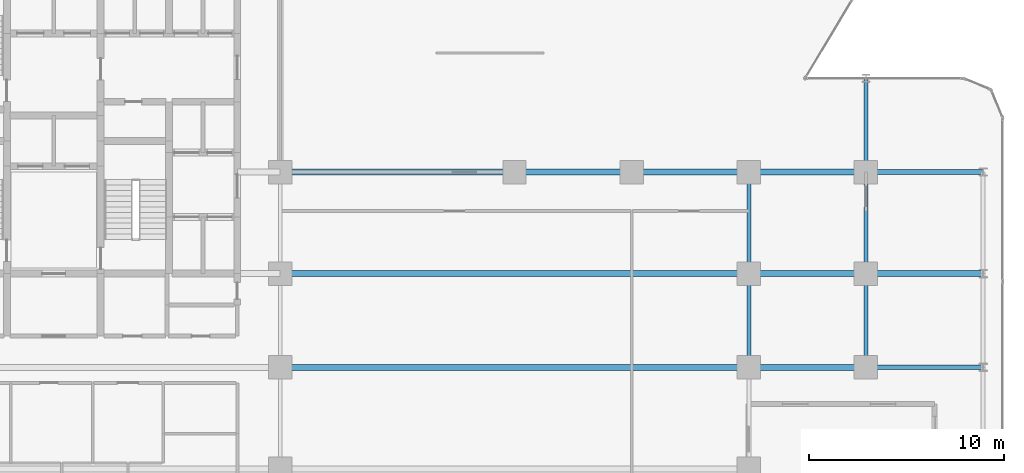
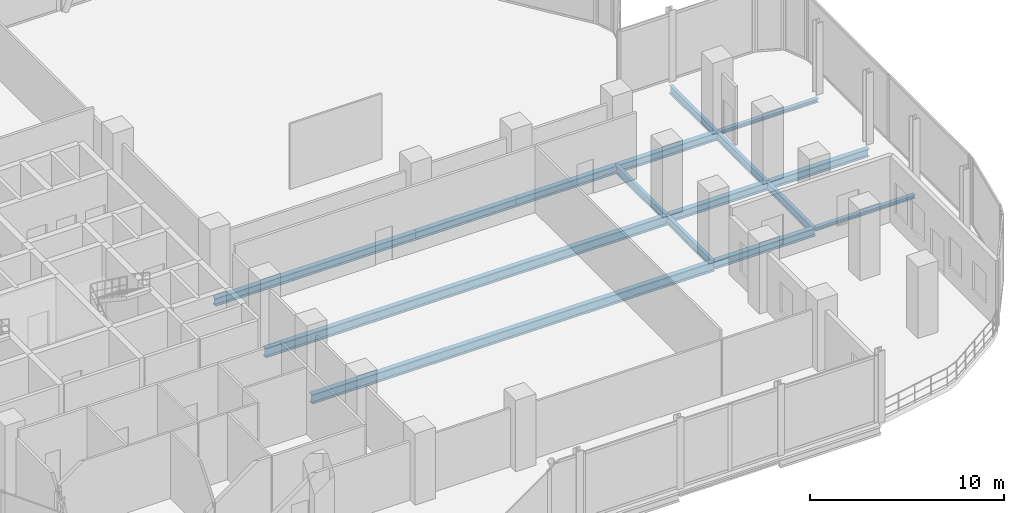
# One storey, part 11 of 30: 16 beams.
"""IFC4 building model written with IfcOpenShell, lengths in metres."""

import ifcopenshell
import ifcopenshell.guid

model = None  # the IFC model being written
_history = None  # IfcOwnerHistory: only IFC2X3 demands one
_inside = {}  # id of a spatial element -> (the spatial element, [elements in it])
_under = {}  # id of a project, library or spatial element -> (it, [spatial elements below it])
_declared = {}  # id of a project -> (the project, [libraries it declares])
_typed = {}  # id of a type object -> (the type object, [elements of that type])
_made_of = {}  # id of a material, layer set ... -> (it, [elements and type objects made of it])


def new_model(schema):
    """Start an empty IFC model of exactly this schema.

    Asked for "IFC4X3", IfcOpenShell would pick the latest addendum, in which some entities
    have other attributes; the version numbers below select the first issue.
    IFC2X3 requires an IfcOwnerHistory on every rooted entity: one is made here for all.
    """
    global model, _history
    if schema == "IFC4X3":
        model = ifcopenshell.file(schema_version=(4, 3, 0, 0))
    else:
        model = ifcopenshell.file(schema=schema)
    _inside.clear()
    _under.clear()
    _declared.clear()
    _typed.clear()
    _made_of.clear()
    _history = None
    if model.schema == "IFC2X3":
        org = make("IfcOrganization", Name="unknown")
        user = make(
            "IfcPersonAndOrganization",
            ThePerson=make("IfcPerson", FamilyName="unknown"),
            TheOrganization=org,
        )
        app = make(
            "IfcApplication",
            ApplicationDeveloper=org,
            Version="unknown",
            ApplicationFullName="unknown",
            ApplicationIdentifier="unknown",
        )
        _history = make(
            "IfcOwnerHistory",
            OwningUser=user,
            OwningApplication=app,
            ChangeAction="ADDED",
            CreationDate=0,
        )
    return model


def make(cls, **values):
    """One entity of the class cls with the attributes given. An attribute that is None is left unset."""
    return model.create_entity(
        cls, **{name: value for name, value in values.items() if value is not None}
    )


def rooted(cls, **values):
    """An entity with a GlobalId (a new one), such as an element, a storey or a relation."""
    return make(cls, GlobalId=ifcopenshell.guid.new(), OwnerHistory=_history, **values)


def si_unit(unit_type, name, prefix=None):
    """IfcSIUnit, for example si_unit("LENGTHUNIT", "METRE", prefix="MILLI")."""
    return make("IfcSIUnit", UnitType=unit_type, Prefix=prefix, Name=name)


def assignment(units):
    """IfcUnitAssignment: the units of a project."""
    return None if units is None else make("IfcUnitAssignment", Units=units)


def point(xyz):
    """IfcCartesianPoint."""
    return None if xyz is None else make("IfcCartesianPoint", Coordinates=xyz)


def direction(xyz):
    """IfcDirection."""
    return None if xyz is None else make("IfcDirection", DirectionRatios=xyz)


def frame(location, z_axis=None, x_axis=None):
    """IfcAxis2Placement3D, a coordinate frame: its origin and axes. An axis left out is left unset."""
    return make(
        "IfcAxis2Placement3D",
        Location=point(location),
        Axis=direction(z_axis),
        RefDirection=direction(x_axis),
    )


def frame_2d(location, x_axis=None):
    """IfcAxis2Placement2D, a coordinate frame in the plane: its origin and x axis."""
    return make(
        "IfcAxis2Placement2D", Location=point(location), RefDirection=direction(x_axis)
    )


def origin():
    """The frame at (0, 0, 0) with its axes left unset."""
    return frame((0.0, 0.0, 0.0))


def origin_2d():
    """The frame at (0, 0) in the plane with its x axis left unset."""
    return frame_2d((0.0, 0.0))


def place(relative_to, where):
    """IfcLocalPlacement: puts the frame where relative to a parent placement (None: the world)."""
    return make(
        "IfcLocalPlacement", PlacementRelTo=relative_to, RelativePlacement=where
    )


def context(
    kind, dimensions, precision=None, world=None, true_north=None, identifier=None
):
    """IfcGeometricRepresentationContext, for example the 3D "Model" context."""
    return make(
        "IfcGeometricRepresentationContext",
        ContextIdentifier=identifier,
        ContextType=kind,
        CoordinateSpaceDimension=dimensions,
        Precision=precision,
        WorldCoordinateSystem=world,
        TrueNorth=true_north,
    )


def subcontext(parent, identifier, kind, view, scale=None):
    """IfcGeometricRepresentationSubContext, for example "Body" below "Model"."""
    return make(
        "IfcGeometricRepresentationSubContext",
        ContextIdentifier=identifier,
        ContextType=kind,
        ParentContext=parent,
        TargetScale=scale,
        TargetView=view,
    )


def project(units=None, contexts=None):
    """IfcProject with its units and contexts."""
    return rooted(
        "IfcProject",
        Name="project",
        RepresentationContexts=contexts,
        UnitsInContext=assignment(units),
    )


def spatial(cls, under=None, at=None, **own):
    """A site, building, storey or space (cls), placed at a placement, below another one or the project."""
    s = rooted(cls, ObjectPlacement=at, **own)
    if under is not None:
        _under.setdefault(under.id(), (under, []))[1].append(s)
    return s


def profile(cls, at=None, kind="AREA", **sizes):
    """A parametric profile (cls). Its sizes go by their IFC names, for example OverallWidth=200.0."""
    return make(cls, ProfileType=kind, Position=at, **sizes)


def i_section(**sizes):
    """IfcIShapeProfileDef."""
    return profile("IfcIShapeProfileDef", **sizes)


def extrude(swept, where, along, depth):
    """IfcExtrudedAreaSolid: the profile swept, set in the frame where, extruded along a direction by depth."""
    return make(
        "IfcExtrudedAreaSolid",
        SweptArea=swept,
        Position=where,
        ExtrudedDirection=direction(along),
        Depth=depth,
    )


def shape(context_of_items, identifier, shape_type, items):
    """IfcShapeRepresentation: the items that make up one representation, for example the "Body"."""
    return make(
        "IfcShapeRepresentation",
        ContextOfItems=context_of_items,
        RepresentationIdentifier=identifier,
        RepresentationType=shape_type,
        Items=items,
    )


def material(Name=None, Category=None):
    """IfcMaterial."""
    return make("IfcMaterial", Name=Name, Category=Category)


def material_profile(
    of_material, cross_section, Name=None, Category=None, Priority=None
):
    """IfcMaterialProfile: a cross section and its material."""
    return make(
        "IfcMaterialProfile",
        Name=Name,
        Material=of_material,
        Profile=cross_section,
        Priority=Priority,
        Category=Category,
    )


def profile_set(profiles, Name=None, composite=None):
    """IfcMaterialProfileSet."""
    return make(
        "IfcMaterialProfileSet",
        Name=Name,
        MaterialProfiles=profiles,
        CompositeProfile=composite,
    )


def made_of(thing, what):
    """Note that an element or type object is made of a material, layer set ...; save() writes the relation."""
    if what is not None:
        _made_of.setdefault(what.id(), (what, []))[1].append(thing)
    return thing


def type_object(cls, material=None, **own):
    """A type object (cls), such as IfcWallType, which elements share."""
    return made_of(rooted(cls, **own), material)


def element(
    cls,
    number,
    at=None,
    inside=None,
    cuts=None,
    type_object=None,
    material=None,
    context=None,
    identifier="Body",
    shape_type=None,
    held_by="IfcProductDefinitionShape",
    body=None,
    shapes=None,
    **own,
):
    """One element of the class cls, such as IfcWall. Its Tag is "e" and its number.

    at: its placement. inside: the storey or other place that contains it. cuts: it is an
    opening in that element (IfcRelVoidsElement). A single representation is given by context,
    identifier, shape_type and body (its items); several are given by shapes. held_by: the class
    of the entity that holds the representations. save() writes the other relations.
    """
    e = rooted(cls, Tag="e%d" % number, ObjectPlacement=at, **own)
    if body is not None:
        shapes = [shape(context, identifier, shape_type, body)]
    if shapes is not None:
        e.Representation = make(held_by, Representations=shapes)
    if inside is not None:
        _inside.setdefault(inside.id(), (inside, []))[1].append(e)
    if cuts is not None:
        rooted(
            "IfcRelVoidsElement", RelatingBuildingElement=cuts, RelatedOpeningElement=e
        )
    if type_object is not None:
        _typed.setdefault(type_object.id(), (type_object, []))[1].append(e)
    return made_of(e, material)


def aggregate(whole, parts):
    """IfcRelAggregates: a whole, such as a stair, and the parts it consists of."""
    return rooted("IfcRelAggregates", RelatingObject=whole, RelatedObjects=parts)


def save(model, path):
    """Write the relations noted so far, then the file.

    IfcRelAggregates (storeys below a building ...), IfcRelContainedInSpatialStructure (elements
    in a storey), IfcRelDefinesByType, IfcRelAssociatesMaterial and IfcRelDeclares: one each for
    every whole, place, type object, material and project.
    """
    for whole, parts in _under.values():
        aggregate(whole, parts)
    for where, things in _inside.values():
        rooted(
            "IfcRelContainedInSpatialStructure",
            RelatedElements=things,
            RelatingStructure=where,
        )
    for kind, things in _typed.values():
        rooted("IfcRelDefinesByType", RelatedObjects=things, RelatingType=kind)
    for what, things in _made_of.values():
        rooted("IfcRelAssociatesMaterial", RelatedObjects=things, RelatingMaterial=what)
    for by, libraries in _declared.values():
        rooted("IfcRelDeclares", RelatingContext=by, RelatedDefinitions=libraries)
    model.write(path)


model = new_model("IFC4")

# Units and contexts
model_context = context("Model", 3, precision=1e-05, world=origin(), true_north=direction((0.0, 1.0)))
body_context = subcontext(model_context, "Body", "Model", "MODEL_VIEW")
ifc_project = project(units=[si_unit("LENGTHUNIT", "METRE"), si_unit("AREAUNIT", "SQUARE_METRE"), si_unit("VOLUMEUNIT", "CUBIC_METRE"), si_unit("PLANEANGLEUNIT", "RADIAN"), si_unit("MASSUNIT", "GRAM", prefix="KILO")], contexts=[model_context])

# Site, building, storey
site_placement = place(None, origin())
site = spatial("IfcSite", under=ifc_project, at=site_placement, CompositionType="ELEMENT")
building_placement = place(site_placement, origin())
building = spatial("IfcBuilding", under=site, at=building_placement, Name="Keshet Zoharim Tower", CompositionType="ELEMENT")
storey_placement = place(building_placement, frame((0.0, 0.0, 65.60009765625)))
storey = spatial("IfcBuildingStorey", under=building, at=storey_placement, Name="L15", CompositionType="ELEMENT", Elevation=65.60009765625)

# Beams
ifc_material = material(Name="Steel S355", Category="steel")
ifc_material_profile_1 = material_profile(ifc_material, i_section(OverallWidth=0.300048828125, OverallDepth=0.60009765625, WebThickness=0.015380859375, FlangeThickness=0.030029296875, FilletRadius=0.027099609375, at=origin_2d()), Name="HEB600")
ifc_profile_set_1 = profile_set([ifc_material_profile_1], Name="Steel S355")
beam_type_1 = type_object("IfcBeamType", Name="BM-LNG-HB600", PredefinedType="BEAM", material=ifc_profile_set_1)
for number, where, z_axis, x_axis, name in (
    (1, (33.0, 17.89990234375, -0.6201171875), (1.0, 0.0, 0.0), (0.0, 1.0, 0.0), "L15 Primary Girder X-014"),
    (2, (33.0, 22.699951171875, -0.6201171875), (1.0, 0.0, 0.0), (0.0, 1.0, 0.0), "L15 Primary Girder X-017"),
):
    element("IfcBeam", number, at=place(storey_placement, frame(where, z_axis=z_axis, x_axis=x_axis)), inside=storey, type_object=beam_type_1, Name=name, PredefinedType="BEAM", context=body_context, shape_type="SweptSolid", body=[
        extrude(i_section(OverallWidth=0.300048828125, OverallDepth=0.60009765625, WebThickness=0.015380859375, FlangeThickness=0.030029296875, FilletRadius=0.027099609375, at=origin_2d()), origin(), (0.0, 0.0, 1.0), 24.0),
    ])
ifc_material_profile_2 = material_profile(ifc_material, i_section(OverallWidth=0.239990234375, OverallDepth=0.22998046875, WebThickness=0.007568359375, FlangeThickness=0.011962890625, FilletRadius=0.02099609375, at=origin_2d()), Name="HEA240")
ifc_profile_set_2 = profile_set([ifc_material_profile_2], Name="Steel S355")
beam_type_2 = type_object("IfcBeamType", Name="BM-LNT-HA240", PredefinedType="LINTEL", material=ifc_profile_set_2)
for number, where, z_axis, x_axis, name in (
    (3, (63.0, 17.89990234375, -0.43505859375), (1.0, 0.0, 0.0), (0.0, 1.0, 0.0), "L15 Primary Girder X-016"),
    (4, (63.0, 27.89990234375, -0.43505859375), (1.0, 0.0, 0.0), (0.0, 1.0, 0.0), "L15 Primary Girder X-024"),
):
    element("IfcBeam", number, at=place(storey_placement, frame(where, z_axis=z_axis, x_axis=x_axis)), inside=storey, type_object=beam_type_2, Name=name, PredefinedType="LINTEL", context=body_context, shape_type="SweptSolid", body=[
        extrude(i_section(OverallWidth=0.239990234375, OverallDepth=0.22998046875, WebThickness=0.007568359375, FlangeThickness=0.011962890625, FilletRadius=0.02099609375, at=origin_2d()), origin(), (0.0, 0.0, 1.0), 6.0),
    ])
ifc_material_profile_3 = material_profile(ifc_material, i_section(OverallWidth=0.300048828125, OverallDepth=0.5, WebThickness=0.014404296875, FlangeThickness=0.028076171875, FilletRadius=0.027099609375, at=origin_2d()), Name="HEB500")
ifc_profile_set_3 = profile_set([ifc_material_profile_3], Name="Steel S355")
beam_type_3 = type_object("IfcBeamType", Name="BM-MED-HB500", PredefinedType="BEAM", material=ifc_profile_set_3)
beam_1_placement = place(storey_placement, frame((33.0, 27.89990234375, -0.570068359375), z_axis=(1.0, 0.0, 0.0), x_axis=(0.0, 1.0, 0.0)))
element("IfcBeam", 5, at=beam_1_placement, inside=storey, type_object=beam_type_3, Name="L15 Primary Girder X-020", PredefinedType="BEAM", context=body_context, shape_type="SweptSolid", body=[
    extrude(i_section(OverallWidth=0.300048828125, OverallDepth=0.5, WebThickness=0.014404296875, FlangeThickness=0.028076171875, FilletRadius=0.027099609375, at=origin_2d()), origin(), (0.0, 0.0, 1.0), 12.0),
])
ifc_material_profile_4 = material_profile(ifc_material, i_section(OverallWidth=0.199951171875, OverallDepth=0.5, WebThickness=0.01025390625, FlangeThickness=0.01611328125, FilletRadius=0.02099609375, at=origin_2d()), Name="IPE500")
ifc_profile_set_4 = profile_set([ifc_material_profile_4], Name="Steel S355")
beam_type_4 = type_object("IfcBeamType", Name="BM-PRI-IP500", PredefinedType="BEAM", material=ifc_profile_set_4)
beam_2_placement = place(storey_placement, frame((57.0, 17.89990234375, -0.570068359375), z_axis=(0.0, 1.0, 0.0), x_axis=(-1.0, 0.0, 0.0)))
element("IfcBeam", 6, at=beam_2_placement, inside=storey, type_object=beam_type_4, Name="L15 Primary Girder Y-016", PredefinedType="BEAM", context=body_context, shape_type="SweptSolid", body=[
    extrude(i_section(OverallWidth=0.199951171875, OverallDepth=0.5, WebThickness=0.01025390625, FlangeThickness=0.01611328125, FilletRadius=0.02099609375, at=origin_2d()), origin(), (0.0, 0.0, 1.0), 4.800048828125),
])
beam_3_placement = place(storey_placement, frame((57.0, 22.699951171875, -0.570068359375), z_axis=(0.0, 1.0, 0.0), x_axis=(-1.0, 0.0, 0.0)))
element("IfcBeam", 7, at=beam_3_placement, inside=storey, type_object=beam_type_4, Name="L15 Primary Girder Y-017", PredefinedType="BEAM", context=body_context, shape_type="SweptSolid", body=[
    extrude(i_section(OverallWidth=0.199951171875, OverallDepth=0.5, WebThickness=0.01025390625, FlangeThickness=0.01611328125, FilletRadius=0.02099609375, at=origin_2d()), origin(), (0.0, 0.0, 1.0), 5.199951171875),
])
beam_4_placement = place(storey_placement, frame((63.0, 17.89990234375, -0.570068359375), z_axis=(0.0, 1.0, 0.0), x_axis=(-1.0, 0.0, 0.0)))
element("IfcBeam", 8, at=beam_4_placement, inside=storey, type_object=beam_type_4, Name="L15 Primary Girder Y-018", PredefinedType="BEAM", context=body_context, shape_type="SweptSolid", body=[
    extrude(i_section(OverallWidth=0.199951171875, OverallDepth=0.5, WebThickness=0.01025390625, FlangeThickness=0.01611328125, FilletRadius=0.02099609375, at=origin_2d()), origin(), (0.0, 0.0, 1.0), 4.800048828125),
])
beam_5_placement = place(storey_placement, frame((63.0, 22.699951171875, -0.570068359375), z_axis=(0.0, 1.0, 0.0), x_axis=(-1.0, 0.0, 0.0)))
element("IfcBeam", 9, at=beam_5_placement, inside=storey, type_object=beam_type_4, Name="L15 Primary Girder Y-019", PredefinedType="BEAM", context=body_context, shape_type="SweptSolid", body=[
    extrude(i_section(OverallWidth=0.199951171875, OverallDepth=0.5, WebThickness=0.01025390625, FlangeThickness=0.01611328125, FilletRadius=0.02099609375, at=origin_2d()), origin(), (0.0, 0.0, 1.0), 5.199951171875),
])
beam_6_placement = place(storey_placement, frame((63.0, 27.89990234375, -0.570068359375), z_axis=(0.0, 1.0, 0.0), x_axis=(-1.0, 0.0, 0.0)))
element("IfcBeam", 10, at=beam_6_placement, inside=storey, type_object=beam_type_4, Name="L15 Primary Girder Y-020", PredefinedType="BEAM", context=body_context, shape_type="SweptSolid", body=[
    extrude(i_section(OverallWidth=0.199951171875, OverallDepth=0.5, WebThickness=0.01025390625, FlangeThickness=0.01611328125, FilletRadius=0.02099609375, at=origin_2d()), origin(), (0.0, 0.0, 1.0), 4.800048828125),
])
ifc_material_profile_5 = material_profile(ifc_material, i_section(OverallWidth=0.300048828125, OverallDepth=0.5, WebThickness=0.014404296875, FlangeThickness=0.028076171875, FilletRadius=0.027099609375, at=origin_2d()), Name="HEB500")
ifc_profile_set_5 = profile_set([ifc_material_profile_5], Name="Steel S355")
beam_type_5 = type_object("IfcBeamType", Name="BM-WEB-HB500", PredefinedType="BEAM", material=ifc_profile_set_5)
for number, where, z_axis, x_axis, name in (
    (11, (57.0, 17.89990234375, -0.570068359375), (1.0, 0.0, 0.0), (0.0, 1.0, 0.0), "L15 Primary Girder X-015"),
    (12, (57.0, 22.699951171875, -0.570068359375), (1.0, 0.0, 0.0), (0.0, 1.0, 0.0), "L15 Primary Girder X-018"),
    (13, (63.0, 22.699951171875, -0.570068359375), (1.0, 0.0, 0.0), (0.0, 1.0, 0.0), "L15 Primary Girder X-019"),
    (14, (45.0, 27.89990234375, -0.570068359375), (1.0, 0.0, 0.0), (0.0, 1.0, 0.0), "L15 Primary Girder X-021"),
    (15, (51.0, 27.89990234375, -0.570068359375), (1.0, 0.0, 0.0), (0.0, 1.0, 0.0), "L15 Primary Girder X-022"),
    (16, (57.0, 27.89990234375, -0.570068359375), (1.0, 0.0, 0.0), (0.0, 1.0, 0.0), "L15 Primary Girder X-023"),
):
    element("IfcBeam", number, at=place(storey_placement, frame(where, z_axis=z_axis, x_axis=x_axis)), inside=storey, type_object=beam_type_5, Name=name, PredefinedType="BEAM", context=body_context, shape_type="SweptSolid", body=[
        extrude(i_section(OverallWidth=0.300048828125, OverallDepth=0.5, WebThickness=0.014404296875, FlangeThickness=0.028076171875, FilletRadius=0.027099609375, at=origin_2d()), origin(), (0.0, 0.0, 1.0), 6.0),
    ])

save(model, "model.ifc")
